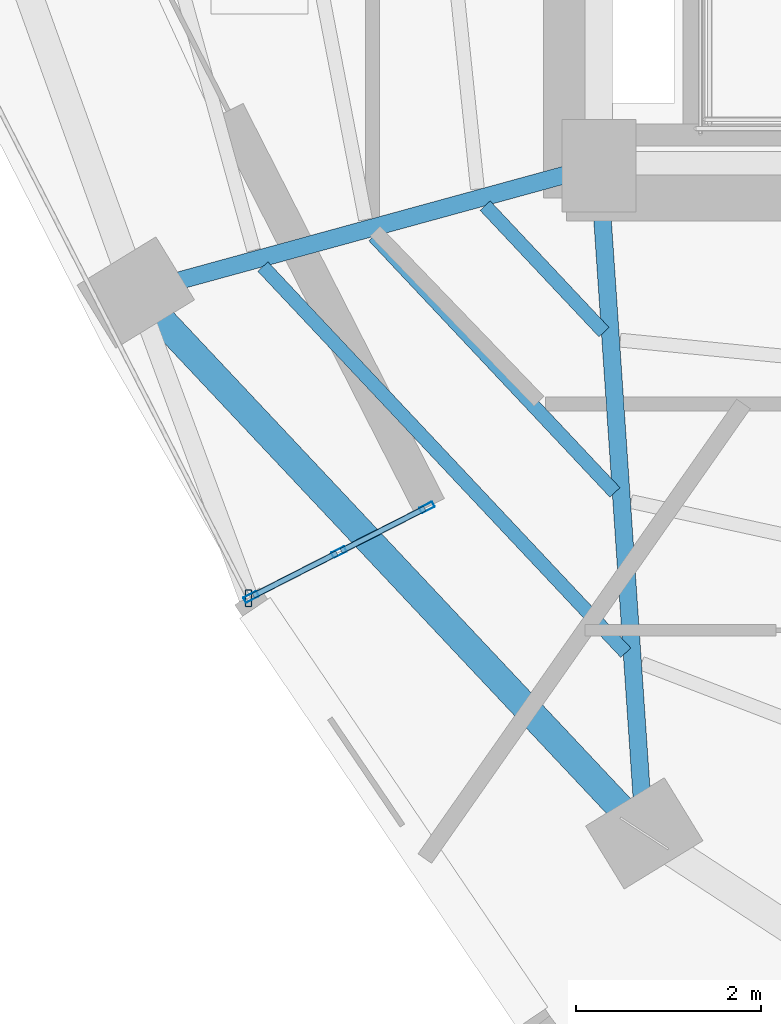
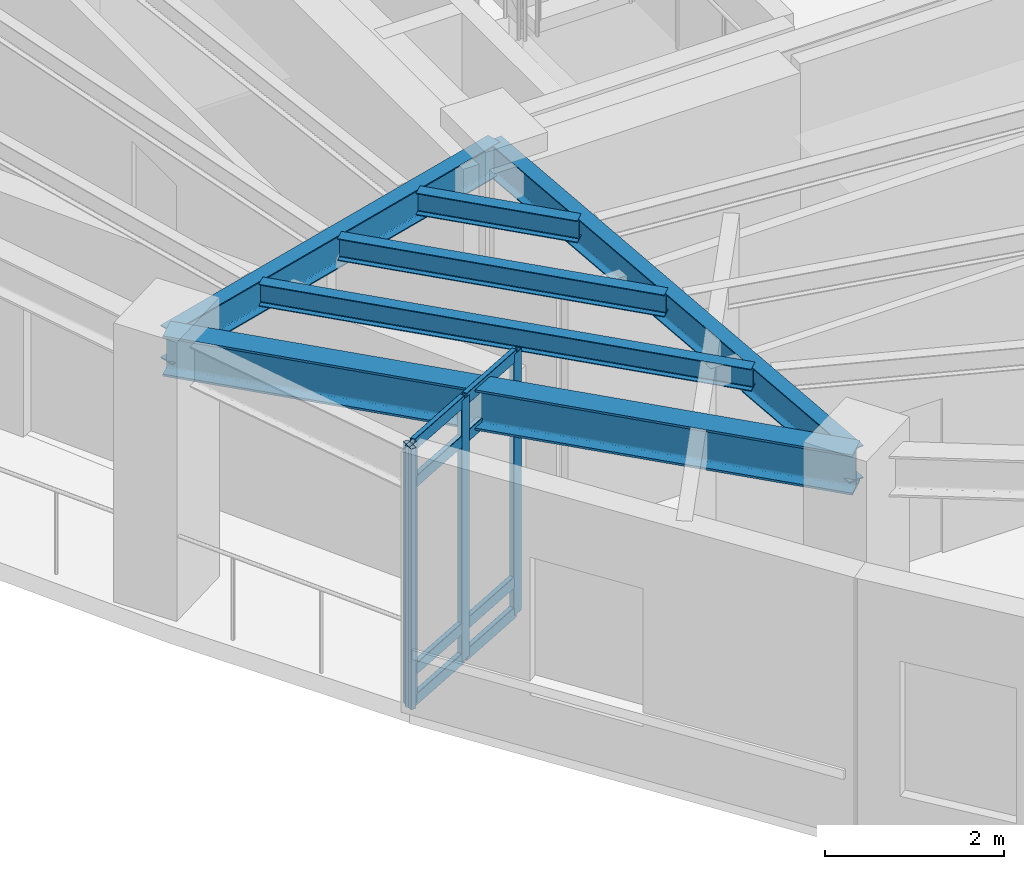
# One storey, part 2 of 13: 12 members, 6 beams, 1 element without a shape of its own.
"""IFC4 building model written with IfcOpenShell, lengths in metres."""

import ifcopenshell
import ifcopenshell.guid

model = None  # the IFC model being written
_history = None  # IfcOwnerHistory: only IFC2X3 demands one
_inside = {}  # id of a spatial element -> (the spatial element, [elements in it])
_under = {}  # id of a project, library or spatial element -> (it, [spatial elements below it])
_declared = {}  # id of a project -> (the project, [libraries it declares])
_typed = {}  # id of a type object -> (the type object, [elements of that type])
_made_of = {}  # id of a material, layer set ... -> (it, [elements and type objects made of it])


def new_model(schema):
    """Start an empty IFC model of exactly this schema.

    Asked for "IFC4X3", IfcOpenShell would pick the latest addendum, in which some entities
    have other attributes; the version numbers below select the first issue.
    IFC2X3 requires an IfcOwnerHistory on every rooted entity: one is made here for all.
    """
    global model, _history
    if schema == "IFC4X3":
        model = ifcopenshell.file(schema_version=(4, 3, 0, 0))
    else:
        model = ifcopenshell.file(schema=schema)
    _inside.clear()
    _under.clear()
    _declared.clear()
    _typed.clear()
    _made_of.clear()
    _history = None
    if model.schema == "IFC2X3":
        org = make("IfcOrganization", Name="unknown")
        user = make(
            "IfcPersonAndOrganization",
            ThePerson=make("IfcPerson", FamilyName="unknown"),
            TheOrganization=org,
        )
        app = make(
            "IfcApplication",
            ApplicationDeveloper=org,
            Version="unknown",
            ApplicationFullName="unknown",
            ApplicationIdentifier="unknown",
        )
        _history = make(
            "IfcOwnerHistory",
            OwningUser=user,
            OwningApplication=app,
            ChangeAction="ADDED",
            CreationDate=0,
        )
    return model


def make(cls, **values):
    """One entity of the class cls with the attributes given. An attribute that is None is left unset."""
    return model.create_entity(
        cls, **{name: value for name, value in values.items() if value is not None}
    )


def rooted(cls, **values):
    """An entity with a GlobalId (a new one), such as an element, a storey or a relation."""
    return make(cls, GlobalId=ifcopenshell.guid.new(), OwnerHistory=_history, **values)


def si_unit(unit_type, name, prefix=None):
    """IfcSIUnit, for example si_unit("LENGTHUNIT", "METRE", prefix="MILLI")."""
    return make("IfcSIUnit", UnitType=unit_type, Prefix=prefix, Name=name)


def assignment(units):
    """IfcUnitAssignment: the units of a project."""
    return None if units is None else make("IfcUnitAssignment", Units=units)


def point(xyz):
    """IfcCartesianPoint."""
    return None if xyz is None else make("IfcCartesianPoint", Coordinates=xyz)


def direction(xyz):
    """IfcDirection."""
    return None if xyz is None else make("IfcDirection", DirectionRatios=xyz)


def frame(location, z_axis=None, x_axis=None):
    """IfcAxis2Placement3D, a coordinate frame: its origin and axes. An axis left out is left unset."""
    return make(
        "IfcAxis2Placement3D",
        Location=point(location),
        Axis=direction(z_axis),
        RefDirection=direction(x_axis),
    )


def frame_2d(location, x_axis=None):
    """IfcAxis2Placement2D, a coordinate frame in the plane: its origin and x axis."""
    return make(
        "IfcAxis2Placement2D", Location=point(location), RefDirection=direction(x_axis)
    )


def origin():
    """The frame at (0, 0, 0) with its axes left unset."""
    return frame((0.0, 0.0, 0.0))


def origin_2d():
    """The frame at (0, 0) in the plane with its x axis left unset."""
    return frame_2d((0.0, 0.0))


def place(relative_to, where):
    """IfcLocalPlacement: puts the frame where relative to a parent placement (None: the world)."""
    return make(
        "IfcLocalPlacement", PlacementRelTo=relative_to, RelativePlacement=where
    )


def context(
    kind, dimensions, precision=None, world=None, true_north=None, identifier=None
):
    """IfcGeometricRepresentationContext, for example the 3D "Model" context."""
    return make(
        "IfcGeometricRepresentationContext",
        ContextIdentifier=identifier,
        ContextType=kind,
        CoordinateSpaceDimension=dimensions,
        Precision=precision,
        WorldCoordinateSystem=world,
        TrueNorth=true_north,
    )


def subcontext(parent, identifier, kind, view, scale=None):
    """IfcGeometricRepresentationSubContext, for example "Body" below "Model"."""
    return make(
        "IfcGeometricRepresentationSubContext",
        ContextIdentifier=identifier,
        ContextType=kind,
        ParentContext=parent,
        TargetScale=scale,
        TargetView=view,
    )


def project(units=None, contexts=None):
    """IfcProject with its units and contexts."""
    return rooted(
        "IfcProject",
        Name="project",
        RepresentationContexts=contexts,
        UnitsInContext=assignment(units),
    )


def spatial(cls, under=None, at=None, **own):
    """A site, building, storey or space (cls), placed at a placement, below another one or the project."""
    s = rooted(cls, ObjectPlacement=at, **own)
    if under is not None:
        _under.setdefault(under.id(), (under, []))[1].append(s)
    return s


def profile(cls, at=None, kind="AREA", **sizes):
    """A parametric profile (cls). Its sizes go by their IFC names, for example OverallWidth=200.0."""
    return make(cls, ProfileType=kind, Position=at, **sizes)


def hollow_rectangle(**sizes):
    """IfcRectangleHollowProfileDef."""
    return profile("IfcRectangleHollowProfileDef", **sizes)


def i_section(**sizes):
    """IfcIShapeProfileDef."""
    return profile("IfcIShapeProfileDef", **sizes)


def extrude(swept, where, along, depth):
    """IfcExtrudedAreaSolid: the profile swept, set in the frame where, extruded along a direction by depth."""
    return make(
        "IfcExtrudedAreaSolid",
        SweptArea=swept,
        Position=where,
        ExtrudedDirection=direction(along),
        Depth=depth,
    )


def shape(context_of_items, identifier, shape_type, items):
    """IfcShapeRepresentation: the items that make up one representation, for example the "Body"."""
    return make(
        "IfcShapeRepresentation",
        ContextOfItems=context_of_items,
        RepresentationIdentifier=identifier,
        RepresentationType=shape_type,
        Items=items,
    )


def material(Name=None, Category=None):
    """IfcMaterial."""
    return make("IfcMaterial", Name=Name, Category=Category)


def layer(
    of_material, thickness, ventilated=None, Name=None, Category=None, Priority=None
):
    """IfcMaterialLayer: one layer of a wall or slab, of a material (None: an air gap)."""
    return make(
        "IfcMaterialLayer",
        Material=of_material,
        LayerThickness=thickness,
        IsVentilated=ventilated,
        Name=Name,
        Category=Category,
        Priority=Priority,
    )


def layer_set(layers, Name=None):
    """IfcMaterialLayerSet."""
    return make("IfcMaterialLayerSet", MaterialLayers=layers, LayerSetName=Name)


def material_profile(
    of_material, cross_section, Name=None, Category=None, Priority=None
):
    """IfcMaterialProfile: a cross section and its material."""
    return make(
        "IfcMaterialProfile",
        Name=Name,
        Material=of_material,
        Profile=cross_section,
        Priority=Priority,
        Category=Category,
    )


def profile_set(profiles, Name=None, composite=None):
    """IfcMaterialProfileSet."""
    return make(
        "IfcMaterialProfileSet",
        Name=Name,
        MaterialProfiles=profiles,
        CompositeProfile=composite,
    )


def made_of(thing, what):
    """Note that an element or type object is made of a material, layer set ...; save() writes the relation."""
    if what is not None:
        _made_of.setdefault(what.id(), (what, []))[1].append(thing)
    return thing


def type_object(cls, material=None, **own):
    """A type object (cls), such as IfcWallType, which elements share."""
    return made_of(rooted(cls, **own), material)


def element(
    cls,
    number,
    at=None,
    inside=None,
    cuts=None,
    type_object=None,
    material=None,
    context=None,
    identifier="Body",
    shape_type=None,
    held_by="IfcProductDefinitionShape",
    body=None,
    shapes=None,
    **own,
):
    """One element of the class cls, such as IfcWall. Its Tag is "e" and its number.

    at: its placement. inside: the storey or other place that contains it. cuts: it is an
    opening in that element (IfcRelVoidsElement). A single representation is given by context,
    identifier, shape_type and body (its items); several are given by shapes. held_by: the class
    of the entity that holds the representations. save() writes the other relations.
    """
    e = rooted(cls, Tag="e%d" % number, ObjectPlacement=at, **own)
    if body is not None:
        shapes = [shape(context, identifier, shape_type, body)]
    if shapes is not None:
        e.Representation = make(held_by, Representations=shapes)
    if inside is not None:
        _inside.setdefault(inside.id(), (inside, []))[1].append(e)
    if cuts is not None:
        rooted(
            "IfcRelVoidsElement", RelatingBuildingElement=cuts, RelatedOpeningElement=e
        )
    if type_object is not None:
        _typed.setdefault(type_object.id(), (type_object, []))[1].append(e)
    return made_of(e, material)


def aggregate(whole, parts):
    """IfcRelAggregates: a whole, such as a stair, and the parts it consists of."""
    return rooted("IfcRelAggregates", RelatingObject=whole, RelatedObjects=parts)


def save(model, path):
    """Write the relations noted so far, then the file.

    IfcRelAggregates (storeys below a building ...), IfcRelContainedInSpatialStructure (elements
    in a storey), IfcRelDefinesByType, IfcRelAssociatesMaterial and IfcRelDeclares: one each for
    every whole, place, type object, material and project.
    """
    for whole, parts in _under.values():
        aggregate(whole, parts)
    for where, things in _inside.values():
        rooted(
            "IfcRelContainedInSpatialStructure",
            RelatedElements=things,
            RelatingStructure=where,
        )
    for kind, things in _typed.values():
        rooted("IfcRelDefinesByType", RelatedObjects=things, RelatingType=kind)
    for what, things in _made_of.values():
        rooted("IfcRelAssociatesMaterial", RelatedObjects=things, RelatingMaterial=what)
    for by, libraries in _declared.values():
        rooted("IfcRelDeclares", RelatingContext=by, RelatedDefinitions=libraries)
    model.write(path)


model = new_model("IFC4")

# Units and contexts
model_context = context("Model", 3, precision=1e-05, world=origin(), true_north=direction((0.0, 1.0)))
body_context = subcontext(model_context, "Body", "Model", "MODEL_VIEW")
ifc_project = project(units=[si_unit("LENGTHUNIT", "METRE"), si_unit("AREAUNIT", "SQUARE_METRE"), si_unit("VOLUMEUNIT", "CUBIC_METRE"), si_unit("PLANEANGLEUNIT", "RADIAN"), si_unit("MASSUNIT", "GRAM", prefix="KILO")], contexts=[model_context])

# Site, building, storey
site_placement = place(None, origin())
site = spatial("IfcSite", under=ifc_project, at=site_placement, CompositionType="ELEMENT")
building_placement = place(site_placement, origin())
building = spatial("IfcBuilding", under=site, at=building_placement, Name="Ndelora Gate Hotel", CompositionType="ELEMENT")
storey_placement = place(building_placement, frame((0.0, 0.0, 197.949951171875)))
storey = spatial("IfcBuildingStorey", under=building, at=storey_placement, Name="L49", CompositionType="ELEMENT", Elevation=197.949951171875)

# Beams
ifc_material_1 = material(Name="Steel S355", Category="steel")
ifc_material_profile_1 = material_profile(ifc_material_1, i_section(OverallWidth=0.14990234375, OverallDepth=0.300048828125, WebThickness=0.007080078125, FlangeThickness=0.0107421875, FilletRadius=0.014892578125, at=origin_2d()), Name="IPE 300")
ifc_profile_set_1 = profile_set([ifc_material_profile_1], Name="Steel S355")
beam_type_1 = type_object("IfcBeamType", Name="BM-JST-300", PredefinedType="JOIST", material=ifc_profile_set_1)
beam_1_placement = place(storey_placement, frame((-9.231201171875, -7.03369140625, 3.400146484375), z_axis=(0.684943115963, -0.728596546722, 0.0), x_axis=(0.728596546722, 0.684943115963, 0.0)))
element("IfcBeam", 1, at=beam_1_placement, inside=storey, type_object=beam_type_1, Name="L49 Secondary Composite Floor Joist IN-3", PredefinedType="JOIST", context=body_context, shape_type="SweptSolid", body=[
    extrude(i_section(OverallWidth=0.14990234375, OverallDepth=0.300048828125, WebThickness=0.007080078125, FlangeThickness=0.0107421875, FilletRadius=0.014892578125, at=origin_2d()), origin(), (0.0, 0.0, 1.0), 1.879150390625),
])
beam_2_placement = place(storey_placement, frame((-10.43408203125, -7.36328125, 3.400146484375), z_axis=(0.684938600536, -0.728600791584, 0.0), x_axis=(0.728600791584, 0.684938600536, 0.0)))
element("IfcBeam", 2, at=beam_2_placement, inside=storey, type_object=beam_type_1, Name="L49 Secondary Composite Floor Joist MID-3", PredefinedType="JOIST", context=body_context, shape_type="SweptSolid", body=[
    extrude(i_section(OverallWidth=0.14990234375, OverallDepth=0.300048828125, WebThickness=0.007080078125, FlangeThickness=0.0107421875, FilletRadius=0.014892578125, at=origin_2d()), origin(), (0.0, 0.0, 1.0), 3.807861328125),
])
beam_3_placement = place(storey_placement, frame((-11.636962890625, -7.693115234375, 3.400146484375), z_axis=(0.68493576734, -0.728603454986, 0.0), x_axis=(0.728603454986, 0.68493576734, 0.0)))
element("IfcBeam", 3, at=beam_3_placement, inside=storey, type_object=beam_type_1, Name="L49 Secondary Composite Floor Joist OUT-3", PredefinedType="JOIST", context=body_context, shape_type="SweptSolid", body=[
    extrude(i_section(OverallWidth=0.14990234375, OverallDepth=0.300048828125, WebThickness=0.007080078125, FlangeThickness=0.0107421875, FilletRadius=0.014892578125, at=origin_2d()), origin(), (0.0, 0.0, 1.0), 5.736328125),
])
ifc_material_profile_2 = material_profile(ifc_material_1, i_section(OverallWidth=0.18994140625, OverallDepth=0.449951171875, WebThickness=0.009521484375, FlangeThickness=0.0146484375, FilletRadius=0.02099609375, at=origin_2d()), Name="IPE 450")
ifc_profile_set_2 = profile_set([ifc_material_profile_2], Name="Steel S355")
beam_type_2 = type_object("IfcBeamType", Name="BM-RAD-450", PredefinedType="BEAM", material=ifc_profile_set_2)
beam_4_placement = place(storey_placement, frame((-8.0, -6.60009765625, 3.324951171875), z_axis=(-0.96442695542, -0.264349480157, 0.0), x_axis=(0.264349480157, -0.96442695542, 0.0)))
element("IfcBeam", 4, at=beam_4_placement, inside=storey, type_object=beam_type_2, Name="L49 Radial Floor Girder 3", PredefinedType="BEAM", context=body_context, shape_type="SweptSolid", body=[
    extrude(i_section(OverallWidth=0.18994140625, OverallDepth=0.449951171875, WebThickness=0.009521484375, FlangeThickness=0.0146484375, FilletRadius=0.02099609375, at=origin_2d()), origin(), (0.0, 0.0, 1.0), 5.19677734375),
])
beam_5_placement = place(storey_placement, frame((-8.0, -6.60009765625, 3.324951171875), z_axis=(0.067867612113, -0.997694335569, 0.0), x_axis=(0.997694335569, 0.067867612113, 0.0)))
element("IfcBeam", 5, at=beam_5_placement, inside=storey, type_object=beam_type_2, Name="L49 Radial Floor Girder 4", PredefinedType="BEAM", context=body_context, shape_type="SweptSolid", body=[
    extrude(i_section(OverallWidth=0.18994140625, OverallDepth=0.449951171875, WebThickness=0.009521484375, FlangeThickness=0.0146484375, FilletRadius=0.02099609375, at=origin_2d()), origin(), (0.0, 0.0, 1.0), 7.244873046875),
])
ifc_material_profile_3 = material_profile(ifc_material_1, i_section(OverallWidth=0.300048828125, OverallDepth=0.550048828125, WebThickness=0.014892578125, FlangeThickness=0.029052734375, FilletRadius=0.027099609375, at=origin_2d()), Name="HEB 550")
ifc_profile_set_3 = profile_set([ifc_material_profile_3], Name="Steel S355")
beam_type_3 = type_object("IfcBeamType", Name="BM-RING-550", PredefinedType="SPANDREL", material=ifc_profile_set_3)
beam_6_placement = place(storey_placement, frame((-13.011962890625, -7.973876953125, 3.275146484375), z_axis=(0.684939043371, -0.728600375285, 0.0), x_axis=(0.728600375285, 0.684939043371, 0.0)))
element("IfcBeam", 6, at=beam_6_placement, inside=storey, type_object=beam_type_3, Name="L49 Perimeter Spandrel Girder 3", PredefinedType="SPANDREL", context=body_context, shape_type="SweptSolid", body=[
    extrude(i_section(OverallWidth=0.300048828125, OverallDepth=0.550048828125, WebThickness=0.014892578125, FlangeThickness=0.029052734375, FilletRadius=0.027099609375, at=origin_2d()), origin(), (0.0, 0.0, 1.0), 8.03515625),
])

# Curtain wall, members
ifc_material_2 = material(Name="Bronze Anodised Unitised Aluminium and Low-E Glass", Category="aluminium")
ifc_layer = layer(ifc_material_2, 0.199951171875)
ifc_layer_set = layer_set([ifc_layer], Name="Bronze Anodised Unitised Aluminium and Low-E Glass")
curtain_wall_type = type_object("IfcCurtainWallType", Name="CW-SYS-3", PredefinedType="NOTDEFINED", material=ifc_layer_set)
curtain_wall_placement = place(storey_placement, origin())
curtain_wall = element("IfcCurtainWall", 7, at=curtain_wall_placement, inside=storey, type_object=curtain_wall_type, Name="L49 Sky-Garden Loggia Side Curtain Wall CW3-2", PredefinedType="NOTDEFINED")
ifc_material_3 = material(Name="Bronze Anodised Aluminium 6063-T6", Category="aluminium")
ifc_material_profile_4 = material_profile(ifc_material_3, hollow_rectangle(XDim=0.06494140625, YDim=0.159912109375, WallThickness=0.00390625, InnerFilletRadius=0.00390625, OuterFilletRadius=0.008056640625, at=origin_2d()), Name="ALU 160x65x4")
ifc_profile_set_4 = profile_set([ifc_material_profile_4], Name="Bronze Anodised Aluminium 6063-T6")
member_type_1 = type_object("IfcMemberType", Name="MB-CW-MUL150", PredefinedType="MULLION", material=ifc_profile_set_4)
member_1_placement = place(storey_placement, frame((-11.763671875, -11.268798828125, -0.00390625), z_axis=(0.0, 0.0, 1.0), x_axis=(-0.454000680995, 0.891001336507, 0.0)))
member_1 = element("IfcMember", 8, at=member_1_placement, type_object=member_type_1, Name="CW3 mullion 1", PredefinedType="MULLION", context=body_context, shape_type="SweptSolid", body=[
    extrude(hollow_rectangle(XDim=0.06494140625, YDim=0.159912109375, WallThickness=0.00390625, InnerFilletRadius=0.00390625, OuterFilletRadius=0.008056640625, at=origin_2d()), origin(), (0.0, 0.0, 1.0), 3.557861328125),
])
member_2_placement = place(storey_placement, frame((-10.8125, -10.7841796875, -0.00390625), z_axis=(0.0, 0.0, 1.0), x_axis=(-0.454000680995, 0.891001336507, 0.0)))
member_2 = element("IfcMember", 9, at=member_2_placement, type_object=member_type_1, Name="CW3 mullion 2", PredefinedType="MULLION", context=body_context, shape_type="SweptSolid", body=[
    extrude(hollow_rectangle(XDim=0.06494140625, YDim=0.159912109375, WallThickness=0.00390625, InnerFilletRadius=0.00390625, OuterFilletRadius=0.008056640625, at=origin_2d()), origin(), (0.0, 0.0, 1.0), 3.557861328125),
])
member_3_placement = place(storey_placement, frame((-9.861328125, -10.299560546875, -0.00390625), z_axis=(0.0, 0.0, 1.0), x_axis=(-0.454000680995, 0.891001336507, 0.0)))
member_3 = element("IfcMember", 10, at=member_3_placement, type_object=member_type_1, Name="CW3 mullion 3", PredefinedType="MULLION", context=body_context, shape_type="SweptSolid", body=[
    extrude(hollow_rectangle(XDim=0.06494140625, YDim=0.159912109375, WallThickness=0.00390625, InnerFilletRadius=0.00390625, OuterFilletRadius=0.008056640625, at=origin_2d()), origin(), (0.0, 0.0, 1.0), 3.557861328125),
])
ifc_material_profile_5 = material_profile(ifc_material_3, hollow_rectangle(XDim=0.070068359375, YDim=0.179931640625, WallThickness=0.0048828125, InnerFilletRadius=0.0048828125, OuterFilletRadius=0.010009765625, at=origin_2d()), Name="ALU 180x70x5")
ifc_profile_set_5 = profile_set([ifc_material_profile_5], Name="Bronze Anodised Aluminium 6063-T6")
member_type_2 = type_object("IfcMemberType", Name="MB-CW-MUL180", PredefinedType="MULLION", material=ifc_profile_set_5)
member_4_placement = place(storey_placement, frame((-11.79248046875, -11.28369140625, 0.0), z_axis=(0.0, 0.0, 1.0), x_axis=(1.0, 0.0, 0.0)))
member_4 = element("IfcMember", 11, at=member_4_placement, type_object=member_type_2, Name="L49 Sky-Garden Loggia Corner Mullion Post 2", PredefinedType="MULLION", context=body_context, shape_type="SweptSolid", body=[
    extrude(hollow_rectangle(XDim=0.070068359375, YDim=0.179931640625, WallThickness=0.0048828125, InnerFilletRadius=0.0048828125, OuterFilletRadius=0.010009765625, at=origin_2d()), origin(), (0.0, 0.0, 1.0), 3.550048828125),
])
ifc_material_profile_6 = material_profile(ifc_material_3, hollow_rectangle(XDim=0.06494140625, YDim=0.159912109375, WallThickness=0.00390625, InnerFilletRadius=0.00390625, OuterFilletRadius=0.008056640625, at=origin_2d()), Name="ALU 160x65x4")
ifc_profile_set_6 = profile_set([ifc_material_profile_6], Name="Bronze Anodised Aluminium 6063-T6")
member_type_3 = type_object("IfcMemberType", Name="MB-CW-TRN150", PredefinedType="USERDEFINED", material=ifc_profile_set_6)
member_5_placement = place(storey_placement, frame((-11.739990234375, -11.2568359375, 0.032470703125), z_axis=(0.890934786756, 0.454131264886, 0.0), x_axis=(-0.454131264886, 0.890934786756, 0.0)))
member_5 = element("IfcMember", 12, at=member_5_placement, type_object=member_type_3, Name="CW3 transom 1.1", ObjectType="TRANSOM", PredefinedType="USERDEFINED", context=body_context, shape_type="SweptSolid", body=[
    extrude(hollow_rectangle(XDim=0.06494140625, YDim=0.159912109375, WallThickness=0.00390625, InnerFilletRadius=0.00390625, OuterFilletRadius=0.008056640625, at=origin_2d()), origin(), (0.0, 0.0, 1.0), 1.014404296875),
])
member_6_placement = place(storey_placement, frame((-11.739990234375, -11.2568359375, 0.449951171875), z_axis=(0.890934786756, 0.454131264886, 0.0), x_axis=(-0.454131264886, 0.890934786756, 0.0)))
member_6 = element("IfcMember", 13, at=member_6_placement, type_object=member_type_3, Name="CW3 transom 1.2", ObjectType="TRANSOM", PredefinedType="USERDEFINED", context=body_context, shape_type="SweptSolid", body=[
    extrude(hollow_rectangle(XDim=0.06494140625, YDim=0.159912109375, WallThickness=0.00390625, InnerFilletRadius=0.00390625, OuterFilletRadius=0.008056640625, at=origin_2d()), origin(), (0.0, 0.0, 1.0), 1.014404296875),
])
member_7_placement = place(storey_placement, frame((-11.739990234375, -11.2568359375, 3.0), z_axis=(0.890934786756, 0.454131264886, 0.0), x_axis=(-0.454131264886, 0.890934786756, 0.0)))
member_7 = element("IfcMember", 14, at=member_7_placement, type_object=member_type_3, Name="CW3 transom 1.3", ObjectType="TRANSOM", PredefinedType="USERDEFINED", context=body_context, shape_type="SweptSolid", body=[
    extrude(hollow_rectangle(XDim=0.06494140625, YDim=0.159912109375, WallThickness=0.00390625, InnerFilletRadius=0.00390625, OuterFilletRadius=0.008056640625, at=origin_2d()), origin(), (0.0, 0.0, 1.0), 1.014404296875),
])
member_8_placement = place(storey_placement, frame((-11.739990234375, -11.2568359375, 3.517578125), z_axis=(0.890934786756, 0.454131264886, 0.0), x_axis=(-0.454131264886, 0.890934786756, 0.0)))
member_8 = element("IfcMember", 15, at=member_8_placement, type_object=member_type_3, Name="CW3 transom 1.4", ObjectType="TRANSOM", PredefinedType="USERDEFINED", context=body_context, shape_type="SweptSolid", body=[
    extrude(hollow_rectangle(XDim=0.06494140625, YDim=0.159912109375, WallThickness=0.00390625, InnerFilletRadius=0.00390625, OuterFilletRadius=0.008056640625, at=origin_2d()), origin(), (0.0, 0.0, 1.0), 1.014404296875),
])
member_9_placement = place(storey_placement, frame((-10.788818359375, -10.772216796875, 0.032470703125), z_axis=(0.890934786756, 0.454131264886, 0.0), x_axis=(-0.454131264886, 0.890934786756, 0.0)))
member_9 = element("IfcMember", 16, at=member_9_placement, type_object=member_type_3, Name="CW3 transom 2.1", ObjectType="TRANSOM", PredefinedType="USERDEFINED", context=body_context, shape_type="SweptSolid", body=[
    extrude(hollow_rectangle(XDim=0.06494140625, YDim=0.159912109375, WallThickness=0.00390625, InnerFilletRadius=0.00390625, OuterFilletRadius=0.008056640625, at=origin_2d()), origin(), (0.0, 0.0, 1.0), 1.014404296875),
])
member_10_placement = place(storey_placement, frame((-10.788818359375, -10.772216796875, 0.449951171875), z_axis=(0.890934786756, 0.454131264886, 0.0), x_axis=(-0.454131264886, 0.890934786756, 0.0)))
member_10 = element("IfcMember", 17, at=member_10_placement, type_object=member_type_3, Name="CW3 transom 2.2", ObjectType="TRANSOM", PredefinedType="USERDEFINED", context=body_context, shape_type="SweptSolid", body=[
    extrude(hollow_rectangle(XDim=0.06494140625, YDim=0.159912109375, WallThickness=0.00390625, InnerFilletRadius=0.00390625, OuterFilletRadius=0.008056640625, at=origin_2d()), origin(), (0.0, 0.0, 1.0), 1.014404296875),
])
member_11_placement = place(storey_placement, frame((-10.788818359375, -10.772216796875, 3.0), z_axis=(0.890934786756, 0.454131264886, 0.0), x_axis=(-0.454131264886, 0.890934786756, 0.0)))
member_11 = element("IfcMember", 18, at=member_11_placement, type_object=member_type_3, Name="CW3 transom 2.3", ObjectType="TRANSOM", PredefinedType="USERDEFINED", context=body_context, shape_type="SweptSolid", body=[
    extrude(hollow_rectangle(XDim=0.06494140625, YDim=0.159912109375, WallThickness=0.00390625, InnerFilletRadius=0.00390625, OuterFilletRadius=0.008056640625, at=origin_2d()), origin(), (0.0, 0.0, 1.0), 1.014404296875),
])
member_12_placement = place(storey_placement, frame((-10.788818359375, -10.772216796875, 3.517578125), z_axis=(0.890934786756, 0.454131264886, 0.0), x_axis=(-0.454131264886, 0.890934786756, 0.0)))
member_12 = element("IfcMember", 19, at=member_12_placement, type_object=member_type_3, Name="CW3 transom 2.4", ObjectType="TRANSOM", PredefinedType="USERDEFINED", context=body_context, shape_type="SweptSolid", body=[
    extrude(hollow_rectangle(XDim=0.06494140625, YDim=0.159912109375, WallThickness=0.00390625, InnerFilletRadius=0.00390625, OuterFilletRadius=0.008056640625, at=origin_2d()), origin(), (0.0, 0.0, 1.0), 1.014404296875),
])
aggregate(curtain_wall, [member_1, member_2, member_3, member_5, member_6, member_7, member_8, member_9, member_10, member_11, member_12, member_4])

save(model, "model.ifc")
